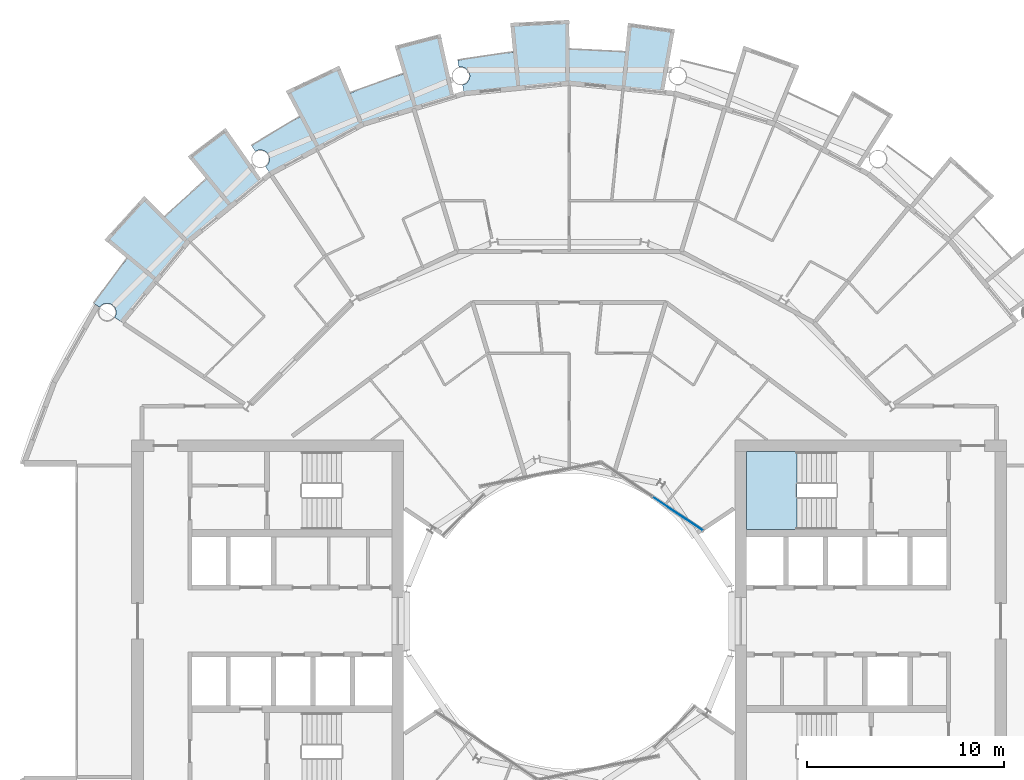
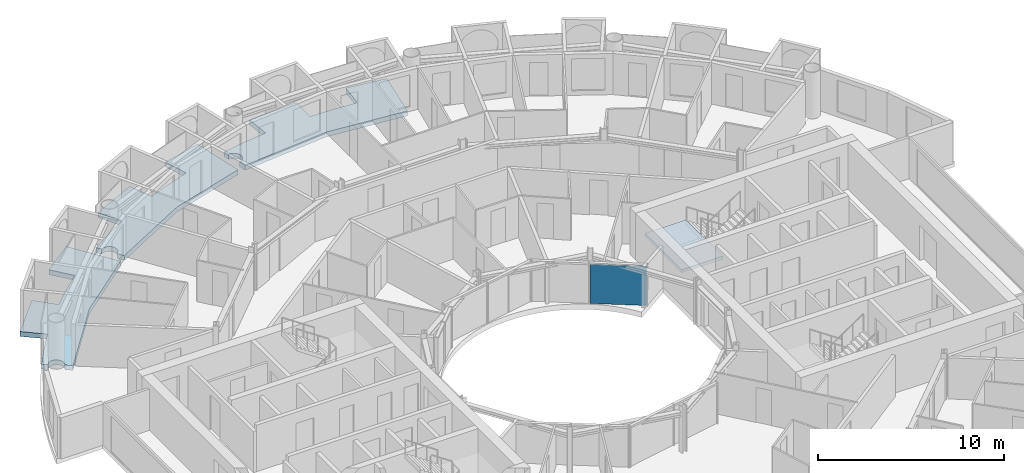
# One storey, part 12 of 27: 4 slabs, 1 plate, 2 elements without a shape of their own.
"""IFC4 building model written with IfcOpenShell, lengths in metres."""

from ifc_helpers import new_model, si_unit, direction, frame, origin, origin_2d, place, context, subcontext, project, spatial, polyline, rectangle, outline, extrude, material, layer, layer_set, type_object, element, aggregate, save


model = new_model("IFC4")

# Units and contexts
model_context = context("Model", 3, precision=1e-05, world=origin(), true_north=direction((0.0, 1.0)))
body_context = subcontext(model_context, "Body", "Model", "MODEL_VIEW")
ifc_project = project(units=[si_unit("LENGTHUNIT", "METRE"), si_unit("AREAUNIT", "SQUARE_METRE"), si_unit("VOLUMEUNIT", "CUBIC_METRE"), si_unit("PLANEANGLEUNIT", "RADIAN"), si_unit("MASSUNIT", "GRAM", prefix="KILO")], contexts=[model_context])

# Site, building, storey
site_placement = place(None, origin())
site = spatial("IfcSite", under=ifc_project, at=site_placement, CompositionType="ELEMENT")
building_placement = place(site_placement, origin())
building = spatial("IfcBuilding", under=site, at=building_placement, Name="Maasbend Ring Residences", CompositionType="ELEMENT")
storey_placement = place(building_placement, frame((0.0, 0.0, 117.75)))
storey = spatial("IfcBuildingStorey", under=building, at=storey_placement, Name="L33", CompositionType="ELEMENT", Elevation=117.75)

# Stair, slab
ifc_material_1 = material(Name="Concrete C40/50", Category="concrete")
stair_type = type_object("IfcStairType", Name="CORE STAIR 18 RISERS", PredefinedType="HALF_TURN_STAIR", material=ifc_material_1)
stair_placement = place(storey_placement, origin())
stair = element("IfcStair", 1, at=stair_placement, inside=storey, type_object=stair_type, Name="L33 Exit stair ST-E1", PredefinedType="HALF_TURN_STAIR")
ifc_material_2 = material(Name="Concrete C40/50", Category="concrete")
ifc_layer_1 = layer(ifc_material_2, 0.199951171875)
ifc_layer_set_1 = layer_set([ifc_layer_1], Name="Concrete C40/50")
slab_type_1 = type_object("IfcSlabType", Name="CORE STAIR LANDING 200", PredefinedType="LANDING", material=ifc_layer_set_1)
slab_1_placement = place(storey_placement, frame((0.0, 0.0, 1.324951171875)))
slab_1 = element("IfcSlab", 2, at=slab_1_placement, type_object=slab_type_1, Name="ST-E1 landing 1", PredefinedType="LANDING", context=body_context, shape_type="SweptSolid", body=[
    extrude(outline(polyline([(11.550048828125, 8.60009765625), (9.0, 8.60009765625), (9.0, 4.64990234375), (11.550048828125, 4.64990234375), (11.550048828125, 8.60009765625)])), origin(), (0.0, 0.0, 1.0), 0.199951171875),
])
aggregate(stair, [slab_1])

# Curtain wall, plate
ifc_material_3 = material(Name="Aluminium and clear glass", Category="aluminium")
ifc_layer_2 = layer(ifc_material_3, 0.179931640625)
ifc_layer_set_2 = layer_set([ifc_layer_2], Name="CW-W")
curtain_wall_type = type_object("IfcCurtainWallType", Name="CW-W", PredefinedType="NOTDEFINED", material=ifc_layer_set_2)
curtain_wall_placement = place(storey_placement, origin())
curtain_wall = element("IfcCurtainWall", 3, at=curtain_wall_placement, inside=storey, type_object=curtain_wall_type, Name="Well curtain wall N1", PredefinedType="NOTDEFINED")
ifc_material_4 = material(Name="Glass clear laminated", Category="glass")
ifc_layer_3 = layer(ifc_material_4, 0.031982421875)
ifc_layer_set_3 = layer_set([ifc_layer_3], Name="CWP-W")
plate_type = type_object("IfcPlateType", Name="CWP-W", PredefinedType="CURTAIN_PANEL", material=ifc_layer_set_3)
plate_placement = place(storey_placement, frame((5.51123046875, 5.44580078125, 0.0), z_axis=(0.0, 0.0, 1.0), x_axis=(-0.831469612303, 0.55557023302, 0.0)))
plate = element("IfcPlate", 4, at=plate_placement, type_object=plate_type, Name="Glass panel well face", PredefinedType="CURTAIN_PANEL", context=body_context, shape_type="SweptSolid", body=[
    extrude(rectangle(XDim=3.053955078125, YDim=0.031982421875, at=origin_2d()), origin(), (0.0, 0.0, 1.0), 2.580078125),
])
aggregate(curtain_wall, [plate])

# Slabs
ifc_material_5 = material(Name="Concrete C40/50", Category="concrete")
ifc_layer_4 = layer(ifc_material_5, 0.199951171875)
ifc_layer_set_4 = layer_set([ifc_layer_4], Name="Concrete C40/50")
slab_type_2 = type_object("IfcSlabType", Name="SL-LOGGIA", PredefinedType="FLOOR", material=ifc_layer_set_4)
slab_2_placement = place(storey_placement, frame((0.0, 0.0, -0.35009765625)))
element("IfcSlab", 5, at=slab_2_placement, inside=storey, type_object=slab_type_2, Name="Loggia floor 1", PredefinedType="FLOOR", context=body_context, shape_type="SweptSolid", body=[
    extrude(outline(polyline([(-14.5, 25.114990234375), (-13.6708984375, 25.574951171875), (-13.6708984375, 25.575927734375), (-13.6708984375, 25.575927734375), (-13.6708984375, 25.575927734375), (-13.6708984375, 25.575927734375), (-13.6708984375, 25.575927734375), (-13.6708984375, 25.575927734375), (-13.6708984375, 25.575927734375), (-13.6708984375, 25.575927734375), (-13.6708984375, 25.575927734375), (-13.6708984375, 25.575927734375), (-13.6708984375, 25.575927734375), (-13.6708984375, 25.575927734375), (-13.6708984375, 25.575927734375), (-13.6708984375, 25.575927734375), (-13.6708984375, 25.575927734375), (-13.6708984375, 25.575927734375), (-14.3779296875, 26.89892578125), (-14.3779296875, 26.89892578125), (-14.3779296875, 26.89892578125), (-11.672119140625, 28.177978515625), (-11.672119140625, 28.177978515625), (-11.672119140625, 28.177978515625), (-11.097900390625, 26.79296875), (-11.097900390625, 26.79296875), (-11.097900390625, 26.79296875), (-11.097900390625, 26.79296875), (-11.097900390625, 26.79296875), (-11.097900390625, 26.79296875), (-11.097900390625, 26.79296875), (-11.097900390625, 26.79296875), (-11.097900390625, 26.79296875), (-11.097900390625, 26.79296875), (-11.097900390625, 26.79296875), (-11.097900390625, 26.79296875), (-11.097900390625, 26.79296875), (-11.097900390625, 26.79296875), (-11.096923828125, 26.79296875), (-11.096923828125, 26.79296875), (-11.096923828125, 26.79296875), (-10.215087890625, 27.14111328125), (-10.215087890625, 27.14111328125), (-9.322021484375, 27.4609375), (-9.322021484375, 27.4609375), (-8.4189453125, 27.7509765625), (-8.4189453125, 27.7509765625), (-8.4189453125, 27.7509765625), (-8.4189453125, 27.7509765625), (-8.4189453125, 27.7509765625), (-8.4189453125, 27.7509765625), (-8.41796875, 27.7509765625), (-8.41796875, 27.7509765625), (-8.41796875, 27.7509765625), (-8.41796875, 27.7509765625), (-8.41796875, 27.7509765625), (-8.41796875, 27.751953125), (-8.41796875, 27.751953125), (-8.41796875, 27.751953125), (-8.41796875, 27.751953125), (-8.41796875, 27.751953125), (-8.41796875, 27.751953125), (-8.85400390625, 29.18701171875), (-8.85400390625, 29.18701171875), (-8.85400390625, 29.18701171875), (-6.5400390625, 29.791015625), (-6.5400390625, 29.791015625), (-6.5400390625, 29.791015625), (-5.843994140625, 26.617919921875), (-5.843994140625, 26.617919921875), (-5.843994140625, 26.617919921875), (-7.886962890625, 25.9990234375), (-10.447021484375, 25.221923828125), (-10.447021484375, 25.221923828125), (-10.447021484375, 25.221923828125), (-12.806884765625, 23.9609375), (-15.1669921875, 22.698974609375), (-15.1669921875, 22.698974609375), (-15.1669921875, 22.698974609375), (-15.4130859375, 23.06689453125), (-15.404052734375, 23.073974609375), (-15.39501953125, 23.080078125), (-15.385986328125, 23.0869140625), (-15.376953125, 23.093994140625), (-15.368896484375, 23.10107421875), (-15.360107421875, 23.10888671875), (-15.35205078125, 23.115966796875), (-15.343994140625, 23.1240234375), (-15.3359375, 23.132080078125), (-15.327880859375, 23.139892578125), (-15.321044921875, 23.14892578125), (-15.31396484375, 23.156982421875), (-15.306884765625, 23.166015625), (-15.300048828125, 23.175048828125), (-15.29296875, 23.18408203125), (-15.287109375, 23.194091796875), (-15.281005859375, 23.202880859375), (-15.27490234375, 23.2119140625), (-15.26904296875, 23.221923828125), (-15.263916015625, 23.23193359375), (-15.259033203125, 23.241943359375), (-15.25390625, 23.251953125), (-15.2490234375, 23.261962890625), (-15.2451171875, 23.27294921875), (-15.240966796875, 23.282958984375), (-15.237060546875, 23.29296875), (-15.23291015625, 23.303955078125), (-15.22998046875, 23.31494140625), (-15.22705078125, 23.325927734375), (-15.22412109375, 23.3359375), (-15.220947265625, 23.346923828125), (-15.218994140625, 23.35791015625), (-15.217041015625, 23.368896484375), (-15.215087890625, 23.3798828125), (-15.214111328125, 23.39111328125), (-15.2119140625, 23.403076171875), (-15.2109375, 23.4140625), (-15.2109375, 23.425048828125), (-15.2099609375, 23.43603515625), (-15.2099609375, 23.447021484375), (-15.2099609375, 23.458984375), (-15.2109375, 23.469970703125), (-15.2109375, 23.48095703125), (-15.2119140625, 23.491943359375), (-15.214111328125, 23.5029296875), (-15.215087890625, 23.513916015625), (-15.217041015625, 23.52587890625), (-15.218994140625, 23.537109375), (-15.220947265625, 23.548095703125), (-15.22412109375, 23.55810546875), (-15.22705078125, 23.569091796875), (-15.22998046875, 23.580078125), (-15.23291015625, 23.591064453125), (-15.237060546875, 23.60107421875), (-15.240966796875, 23.612060546875), (-15.2451171875, 23.6220703125), (-15.2490234375, 23.633056640625), (-15.25390625, 23.64306640625), (-15.259033203125, 23.653076171875), (-15.263916015625, 23.6630859375), (-15.26904296875, 23.673095703125), (-15.27490234375, 23.681884765625), (-15.281005859375, 23.69189453125), (-15.287109375, 23.700927734375), (-15.29296875, 23.7109375), (-15.300048828125, 23.719970703125), (-15.306884765625, 23.72900390625), (-15.31396484375, 23.737060546875), (-15.321044921875, 23.74609375), (-15.327880859375, 23.75390625), (-15.3359375, 23.762939453125), (-15.343994140625, 23.77099609375), (-15.35205078125, 23.778076171875), (-15.360107421875, 23.785888671875), (-15.368896484375, 23.79296875), (-15.376953125, 23.801025390625), (-15.385986328125, 23.80810546875), (-15.39501953125, 23.81396484375), (-15.404052734375, 23.821044921875), (-15.4130859375, 23.826904296875), (-15.423095703125, 23.8330078125), (-15.431884765625, 23.839111328125), (-15.44189453125, 23.844970703125), (-15.451904296875, 23.85009765625), (-15.4619140625, 23.85595703125), (-15.471923828125, 23.861083984375), (-15.48193359375, 23.864990234375), (-15.491943359375, 23.8701171875), (-15.5029296875, 23.8740234375), (-15.512939453125, 23.8779296875), (-15.52392578125, 23.881103515625), (-15.533935546875, 23.885009765625), (-15.544921875, 23.887939453125), (-15.555908203125, 23.89111328125), (-15.56689453125, 23.89306640625), (-15.577880859375, 23.89599609375), (-15.589111328125, 23.89794921875), (-15.60009765625, 23.89892578125), (-15.611083984375, 23.90087890625), (-15.6220703125, 23.902099609375), (-15.633056640625, 23.903076171875), (-15.64501953125, 23.904052734375), (-15.656005859375, 23.904052734375), (-15.6669921875, 23.904052734375), (-15.677978515625, 23.904052734375), (-15.68994140625, 23.904052734375), (-15.700927734375, 23.903076171875), (-15.7119140625, 23.902099609375), (-15.722900390625, 23.90087890625), (-15.73388671875, 23.89892578125), (-15.7451171875, 23.89794921875), (-15.756103515625, 23.89599609375), (-15.76708984375, 23.89306640625), (-15.778076171875, 23.89111328125), (-15.7890625, 23.887939453125), (-15.800048828125, 23.885009765625), (-15.81005859375, 23.881103515625), (-15.821044921875, 23.8779296875), (-15.83203125, 23.8740234375), (-15.842041015625, 23.8701171875), (-15.85205078125, 23.864990234375), (-15.862060546875, 23.861083984375), (-15.873046875, 23.85595703125), (-15.883056640625, 23.85009765625), (-15.89208984375, 23.844970703125), (-15.902099609375, 23.839111328125), (-15.912109375, 23.8330078125), (-15.9208984375, 23.826904296875), (-16.112060546875, 24.113037109375), (-16.112060546875, 24.113037109375), (-16.112060546875, 24.113037109375), (-15.31396484375, 24.626953125), (-15.31396484375, 24.626953125), (-14.5, 25.114990234375), (-14.5, 25.114990234375)])), origin(), (0.0, 0.0, 1.0), 0.320068359375),
])
slab_3_placement = place(storey_placement, frame((0.0, 0.0, -0.35009765625)))
element("IfcSlab", 6, at=slab_3_placement, inside=storey, type_object=slab_type_2, Name="Loggia floor 3", PredefinedType="FLOOR", context=body_context, shape_type="SweptSolid", body=[
    extrude(outline(polyline([(-3.784912109375, 28.751953125), (-2.843017578125, 28.860107421875), (-2.843017578125, 28.860107421875), (-2.843017578125, 28.860107421875), (-2.843017578125, 28.860107421875), (-2.843017578125, 28.860107421875), (-2.843017578125, 28.860107421875), (-2.843017578125, 28.860107421875), (-2.843017578125, 28.860107421875), (-2.843017578125, 28.860107421875), (-2.843017578125, 28.861083984375), (-2.843017578125, 28.861083984375), (-2.843017578125, 28.861083984375), (-2.843017578125, 28.861083984375), (-2.843017578125, 28.861083984375), (-2.843017578125, 28.861083984375), (-2.843017578125, 28.861083984375), (-2.843017578125, 28.861083984375), (-2.989990234375, 30.35302734375), (-2.989990234375, 30.35302734375), (-2.989990234375, 30.35302734375), (0.0, 30.5), (0.0, 30.5), (0.0, 30.5), (0.0, 29.0), (0.0, 29.0), (0.0, 29.0), (0.0, 29.0), (0.0, 29.0), (0.0, 29.0), (0.0, 29.0), (0.0, 29.0), (0.0, 29.0), (0.0, 29.0), (0.0, 29.0), (0.0, 29.0), (0.0, 29.0), (0.0, 29.0), (0.0, 29.0), (0.0, 29.0), (0.0, 29.0), (0.948974609375, 28.98388671875), (0.948974609375, 28.98388671875), (1.89697265625, 28.93798828125), (1.89697265625, 28.93798828125), (2.842041015625, 28.860107421875), (2.842041015625, 28.860107421875), (2.842041015625, 28.860107421875), (2.842041015625, 28.860107421875), (2.842041015625, 28.860107421875), (2.842041015625, 28.860107421875), (2.842041015625, 28.860107421875), (2.842041015625, 28.860107421875), (2.842041015625, 28.861083984375), (2.842041015625, 28.861083984375), (2.842041015625, 28.861083984375), (2.842041015625, 28.861083984375), (2.842041015625, 28.861083984375), (2.843017578125, 28.861083984375), (2.843017578125, 28.861083984375), (2.843017578125, 28.861083984375), (2.843017578125, 28.861083984375), (2.989990234375, 30.35302734375), (2.989990234375, 30.35302734375), (2.989990234375, 30.35302734375), (5.35791015625, 30.02587890625), (5.35791015625, 30.02587890625), (5.35791015625, 30.02587890625), (4.7880859375, 26.827880859375), (4.7880859375, 26.827880859375), (4.7880859375, 26.827880859375), (2.6630859375, 27.0380859375), (0.0, 27.300048828125), (0.0, 27.300048828125), (0.0, 27.300048828125), (-2.6630859375, 27.0380859375), (-5.325927734375, 26.77490234375), (-5.325927734375, 26.77490234375), (-5.325927734375, 26.77490234375), (-5.412109375, 27.2099609375), (-5.412109375, 27.2099609375), (-5.40087890625, 27.2119140625), (-5.389892578125, 27.215087890625), (-5.3798828125, 27.218017578125), (-5.368896484375, 27.220947265625), (-5.35791015625, 27.22412109375), (-5.347900390625, 27.22802734375), (-5.3369140625, 27.23193359375), (-5.326904296875, 27.236083984375), (-5.31591796875, 27.239990234375), (-5.305908203125, 27.2451171875), (-5.2958984375, 27.25), (-5.285888671875, 27.2548828125), (-5.27587890625, 27.260009765625), (-5.26708984375, 27.26611328125), (-5.257080078125, 27.27197265625), (-5.248046875, 27.278076171875), (-5.238037109375, 27.283935546875), (-5.22900390625, 27.291015625), (-5.219970703125, 27.298095703125), (-5.2119140625, 27.304931640625), (-5.202880859375, 27.31201171875), (-5.195068359375, 27.319091796875), (-5.18603515625, 27.326904296875), (-5.177978515625, 27.3349609375), (-5.1708984375, 27.343017578125), (-5.1630859375, 27.35107421875), (-5.155029296875, 27.360107421875), (-5.14794921875, 27.367919921875), (-5.14111328125, 27.376953125), (-5.134033203125, 27.385986328125), (-5.1279296875, 27.39501953125), (-5.1220703125, 27.404052734375), (-5.114990234375, 27.4140625), (-5.110107421875, 27.423095703125), (-5.10400390625, 27.43310546875), (-5.097900390625, 27.443115234375), (-5.093017578125, 27.452880859375), (-5.087890625, 27.462890625), (-5.083984375, 27.472900390625), (-5.0791015625, 27.48291015625), (-5.074951171875, 27.493896484375), (-5.071044921875, 27.50390625), (-5.068115234375, 27.514892578125), (-5.06396484375, 27.52490234375), (-5.06103515625, 27.535888671875), (-5.05810546875, 27.547119140625), (-5.055908203125, 27.55810546875), (-5.052978515625, 27.569091796875), (-5.051025390625, 27.580078125), (-5.049072265625, 27.591064453125), (-5.048095703125, 27.60205078125), (-5.047119140625, 27.613037109375), (-5.0458984375, 27.6240234375), (-5.044921875, 27.635986328125), (-5.044921875, 27.64697265625), (-5.044921875, 27.657958984375), (-5.044921875, 27.6689453125), (-5.044921875, 27.680908203125), (-5.0458984375, 27.69189453125), (-5.047119140625, 27.702880859375), (-5.048095703125, 27.714111328125), (-5.049072265625, 27.72509765625), (-5.051025390625, 27.736083984375), (-5.052978515625, 27.7470703125), (-5.055908203125, 27.758056640625), (-5.05810546875, 27.76904296875), (-5.06103515625, 27.780029296875), (-5.06396484375, 27.791015625), (-5.068115234375, 27.801025390625), (-5.071044921875, 27.81201171875), (-5.074951171875, 27.822998046875), (-5.0791015625, 27.8330078125), (-5.083984375, 27.843017578125), (-5.087890625, 27.85302734375), (-5.093017578125, 27.864013671875), (-5.097900390625, 27.8740234375), (-5.10400390625, 27.883056640625), (-5.110107421875, 27.89306640625), (-5.114990234375, 27.903076171875), (-5.1220703125, 27.912109375), (-5.1279296875, 27.9208984375), (-5.134033203125, 27.929931640625), (-5.14111328125, 27.93896484375), (-5.14794921875, 27.947998046875), (-5.155029296875, 27.95703125), (-5.1630859375, 27.965087890625), (-5.1708984375, 27.972900390625), (-5.177978515625, 27.98095703125), (-5.18603515625, 27.989013671875), (-5.195068359375, 27.9970703125), (-5.202880859375, 28.00390625), (-5.2119140625, 28.010986328125), (-5.219970703125, 28.01806640625), (-5.22900390625, 28.02490234375), (-5.238037109375, 28.031982421875), (-5.248046875, 28.0380859375), (-5.257080078125, 28.0439453125), (-5.26708984375, 28.050048828125), (-5.27587890625, 28.055908203125), (-5.285888671875, 28.06103515625), (-5.2958984375, 28.06591796875), (-5.305908203125, 28.071044921875), (-5.31591796875, 28.075927734375), (-5.326904296875, 28.080078125), (-5.3369140625, 28.083984375), (-5.347900390625, 28.087890625), (-5.35791015625, 28.092041015625), (-5.368896484375, 28.094970703125), (-5.3798828125, 28.09912109375), (-5.389892578125, 28.10107421875), (-5.40087890625, 28.10400390625), (-5.412109375, 28.10595703125), (-5.423095703125, 28.10791015625), (-5.43408203125, 28.110107421875), (-5.446044921875, 28.112060546875), (-5.45703125, 28.113037109375), (-5.468017578125, 28.114013671875), (-5.47900390625, 28.114990234375), (-5.489990234375, 28.114990234375), (-5.501953125, 28.114990234375), (-5.512939453125, 28.114990234375), (-5.52392578125, 28.114990234375), (-5.534912109375, 28.114013671875), (-5.5458984375, 28.113037109375), (-5.556884765625, 28.112060546875), (-5.569091796875, 28.110107421875), (-5.580078125, 28.10791015625), (-5.591064453125, 28.10595703125), (-5.591064453125, 28.10595703125), (-5.657958984375, 28.443115234375), (-5.657958984375, 28.443115234375), (-5.657958984375, 28.443115234375), (-4.72412109375, 28.613037109375), (-4.72412109375, 28.613037109375), (-3.784912109375, 28.751953125), (-3.784912109375, 28.751953125)])), origin(), (0.0, 0.0, 1.0), 0.320068359375),
])
slab_4_placement = place(storey_placement, frame((0.0, 0.0, -0.35009765625)))
element("IfcSlab", 7, at=slab_4_placement, inside=storey, type_object=slab_type_2, Name="Loggia floor 4", PredefinedType="FLOOR", context=body_context, shape_type="SweptSolid", body=[
    extrude(outline(polyline([(-23.007080078125, 17.654052734375), (-22.41796875, 18.39697265625), (-22.41796875, 18.39697265625), (-22.41796875, 18.39697265625), (-22.41796875, 18.39697265625), (-22.41796875, 18.39697265625), (-22.41796875, 18.39697265625), (-22.41796875, 18.39697265625), (-22.41796875, 18.39697265625), (-22.41796875, 18.39697265625), (-22.41796875, 18.39697265625), (-22.41796875, 18.39697265625), (-22.41796875, 18.39794921875), (-22.41796875, 18.39794921875), (-22.41796875, 18.39794921875), (-22.41796875, 18.39794921875), (-22.41796875, 18.39794921875), (-22.41796875, 18.39794921875), (-23.576904296875, 19.34912109375), (-23.576904296875, 19.34912109375), (-23.576904296875, 19.34912109375), (-21.56689453125, 21.56689453125), (-21.56689453125, 21.56689453125), (-21.56689453125, 21.56689453125), (-20.506103515625, 20.506103515625), (-20.506103515625, 20.506103515625), (-20.506103515625, 20.506103515625), (-20.506103515625, 20.506103515625), (-20.506103515625, 20.506103515625), (-20.506103515625, 20.506103515625), (-20.506103515625, 20.506103515625), (-20.506103515625, 20.506103515625), (-20.506103515625, 20.506103515625), (-20.506103515625, 20.506103515625), (-20.506103515625, 20.506103515625), (-20.506103515625, 20.506103515625), (-20.506103515625, 20.506103515625), (-20.506103515625, 20.506103515625), (-20.506103515625, 20.506103515625), (-20.506103515625, 20.506103515625), (-20.506103515625, 20.506103515625), (-19.823974609375, 21.166015625), (-19.823974609375, 21.166015625), (-19.12109375, 21.802978515625), (-19.12109375, 21.802978515625), (-18.39794921875, 22.4169921875), (-18.39794921875, 22.4169921875), (-18.39794921875, 22.4169921875), (-18.39794921875, 22.4169921875), (-18.39794921875, 22.4169921875), (-18.39794921875, 22.4169921875), (-18.39794921875, 22.4169921875), (-18.39794921875, 22.4169921875), (-18.39794921875, 22.4169921875), (-18.39794921875, 22.4169921875), (-18.39794921875, 22.4169921875), (-18.39794921875, 22.4169921875), (-18.39794921875, 22.41796875), (-18.39794921875, 22.41796875), (-18.39794921875, 22.41796875), (-18.39794921875, 22.41796875), (-18.39794921875, 22.41796875), (-19.34912109375, 23.576904296875), (-19.34912109375, 23.576904296875), (-19.34912109375, 23.576904296875), (-17.44189453125, 25.02001953125), (-17.44189453125, 25.02001953125), (-17.44189453125, 25.02001953125), (-15.5849609375, 22.35595703125), (-15.5849609375, 22.35595703125), (-15.5849609375, 22.35595703125), (-17.236083984375, 21.001953125), (-19.303955078125, 19.303955078125), (-19.303955078125, 19.303955078125), (-19.303955078125, 19.303955078125), (-21.001953125, 17.236083984375), (-22.698974609375, 15.1669921875), (-22.698974609375, 15.1669921875), (-22.698974609375, 15.1669921875), (-23.06689453125, 15.4130859375), (-23.06689453125, 15.4130859375), (-23.06103515625, 15.423095703125), (-23.054931640625, 15.431884765625), (-23.050048828125, 15.44189453125), (-23.0439453125, 15.451904296875), (-23.0390625, 15.4619140625), (-23.033935546875, 15.471923828125), (-23.030029296875, 15.48193359375), (-23.02490234375, 15.491943359375), (-23.02099609375, 15.5029296875), (-23.01708984375, 15.512939453125), (-23.012939453125, 15.52392578125), (-23.010009765625, 15.533935546875), (-23.007080078125, 15.544921875), (-23.00390625, 15.555908203125), (-23.001953125, 15.56689453125), (-22.9990234375, 15.577880859375), (-22.9970703125, 15.589111328125), (-22.9951171875, 15.60009765625), (-22.993896484375, 15.611083984375), (-22.992919921875, 15.6220703125), (-22.991943359375, 15.633056640625), (-22.990966796875, 15.64501953125), (-22.990966796875, 15.656005859375), (-22.989990234375, 15.6669921875), (-22.990966796875, 15.677978515625), (-22.990966796875, 15.68994140625), (-22.991943359375, 15.700927734375), (-22.992919921875, 15.7119140625), (-22.993896484375, 15.722900390625), (-22.9951171875, 15.73388671875), (-22.9970703125, 15.7451171875), (-22.9990234375, 15.756103515625), (-23.001953125, 15.76708984375), (-23.00390625, 15.778076171875), (-23.007080078125, 15.7890625), (-23.010009765625, 15.800048828125), (-23.012939453125, 15.81005859375), (-23.01708984375, 15.821044921875), (-23.02099609375, 15.83203125), (-23.02490234375, 15.842041015625), (-23.030029296875, 15.85205078125), (-23.033935546875, 15.862060546875), (-23.0390625, 15.873046875), (-23.0439453125, 15.883056640625), (-23.050048828125, 15.89208984375), (-23.054931640625, 15.902099609375), (-23.06103515625, 15.912109375), (-23.06689453125, 15.9208984375), (-23.073974609375, 15.929931640625), (-23.080078125, 15.93896484375), (-23.0869140625, 15.947998046875), (-23.093994140625, 15.95703125), (-23.10107421875, 15.966064453125), (-23.10888671875, 15.97412109375), (-23.115966796875, 15.98193359375), (-23.1240234375, 15.989990234375), (-23.132080078125, 15.998046875), (-23.139892578125, 16.006103515625), (-23.14892578125, 16.012939453125), (-23.156982421875, 16.02001953125), (-23.166015625, 16.027099609375), (-23.175048828125, 16.033935546875), (-23.18408203125, 16.041015625), (-23.194091796875, 16.047119140625), (-23.202880859375, 16.052978515625), (-23.2119140625, 16.05908203125), (-23.221923828125, 16.06494140625), (-23.23193359375, 16.070068359375), (-23.241943359375, 16.074951171875), (-23.251953125, 16.080078125), (-23.261962890625, 16.0849609375), (-23.27294921875, 16.089111328125), (-23.282958984375, 16.093017578125), (-23.29296875, 16.096923828125), (-23.303955078125, 16.10107421875), (-23.31494140625, 16.10400390625), (-23.325927734375, 16.10791015625), (-23.3359375, 16.110107421875), (-23.346923828125, 16.113037109375), (-23.35791015625, 16.114990234375), (-23.368896484375, 16.116943359375), (-23.3798828125, 16.118896484375), (-23.39111328125, 16.12109375), (-23.403076171875, 16.1220703125), (-23.4140625, 16.123046875), (-23.425048828125, 16.1240234375), (-23.43603515625, 16.1240234375), (-23.447021484375, 16.1240234375), (-23.458984375, 16.1240234375), (-23.469970703125, 16.1240234375), (-23.48095703125, 16.123046875), (-23.491943359375, 16.1220703125), (-23.5029296875, 16.12109375), (-23.513916015625, 16.118896484375), (-23.52587890625, 16.116943359375), (-23.537109375, 16.114990234375), (-23.548095703125, 16.113037109375), (-23.55810546875, 16.110107421875), (-23.569091796875, 16.10791015625), (-23.580078125, 16.10400390625), (-23.591064453125, 16.10107421875), (-23.60107421875, 16.096923828125), (-23.612060546875, 16.093017578125), (-23.6220703125, 16.089111328125), (-23.633056640625, 16.0849609375), (-23.64306640625, 16.080078125), (-23.653076171875, 16.074951171875), (-23.6630859375, 16.070068359375), (-23.673095703125, 16.06494140625), (-23.681884765625, 16.05908203125), (-23.69189453125, 16.052978515625), (-23.700927734375, 16.047119140625), (-23.7109375, 16.041015625), (-23.719970703125, 16.033935546875), (-23.72900390625, 16.027099609375), (-23.737060546875, 16.02001953125), (-23.74609375, 16.012939453125), (-23.75390625, 16.006103515625), (-23.762939453125, 15.998046875), (-23.77099609375, 15.989990234375), (-23.778076171875, 15.98193359375), (-23.785888671875, 15.97412109375), (-23.79296875, 15.966064453125), (-23.801025390625, 15.95703125), (-23.80810546875, 15.947998046875), (-23.81396484375, 15.93896484375), (-23.821044921875, 15.929931640625), (-23.826904296875, 15.9208984375), (-23.826904296875, 15.9208984375), (-24.113037109375, 16.112060546875), (-24.113037109375, 16.112060546875), (-24.113037109375, 16.112060546875), (-23.572998046875, 16.89208984375), (-23.572998046875, 16.89208984375), (-23.007080078125, 17.654052734375), (-23.007080078125, 17.654052734375)])), origin(), (0.0, 0.0, 1.0), 0.320068359375),
])

save(model, "model.ifc")
